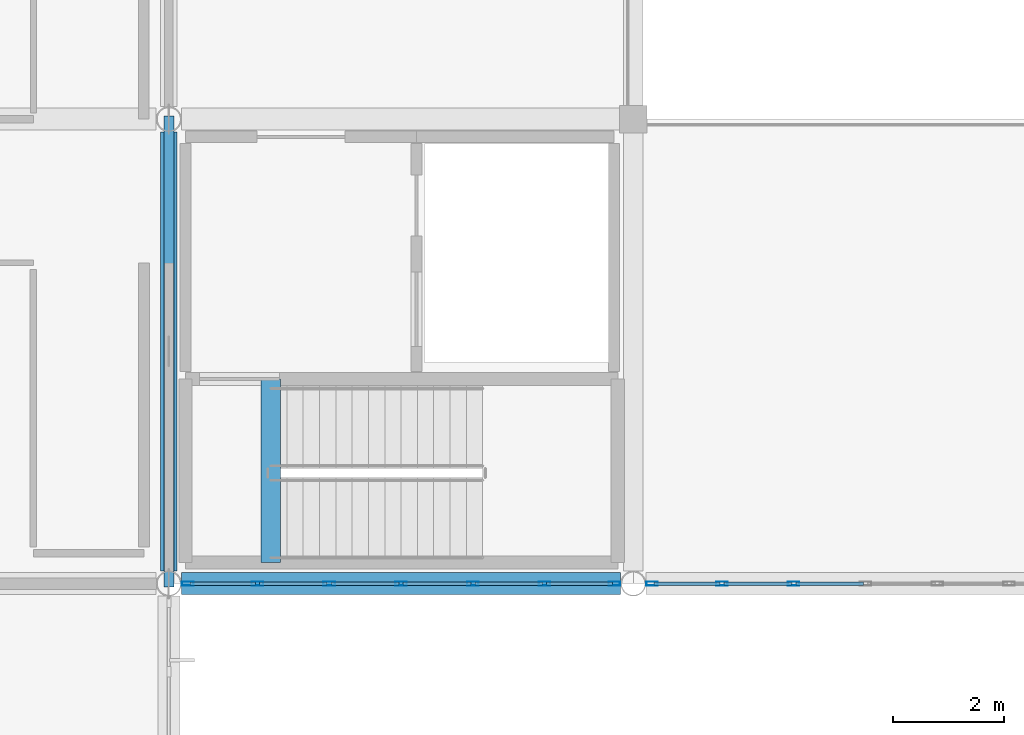
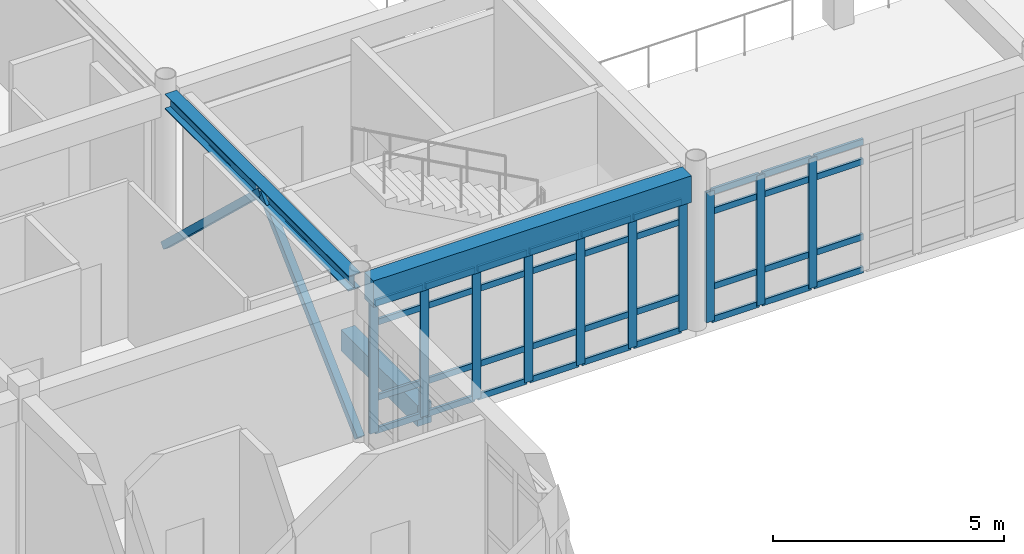
# One storey, part 15 of 144: 48 members, 3 beams, 2 elements without a shape of their own.
"""IFC4 building model written with IfcOpenShell, lengths in metres."""

from ifc_helpers import new_model, si_unit, direction, frame, origin, origin_2d, place, context, subcontext, project, spatial, rectangle, hollow_rectangle, i_section, extrude, material, layer, layer_set, material_profile, profile_set, type_object, element, aggregate, save


model = new_model("IFC4")

# Units and contexts
model_context = context("Model", 3, precision=1e-05, world=origin(), true_north=direction((0.0, 1.0)))
body_context = subcontext(model_context, "Body", "Model", "MODEL_VIEW")
ifc_project = project(units=[si_unit("LENGTHUNIT", "METRE"), si_unit("AREAUNIT", "SQUARE_METRE"), si_unit("VOLUMEUNIT", "CUBIC_METRE"), si_unit("PLANEANGLEUNIT", "RADIAN"), si_unit("MASSUNIT", "GRAM", prefix="KILO")], contexts=[model_context])

# Site, building, storey
site_placement = place(None, origin())
site = spatial("IfcSite", under=ifc_project, at=site_placement, CompositionType="ELEMENT")
building_placement = place(site_placement, origin())
building = spatial("IfcBuilding", under=site, at=building_placement, Name="Bramfleet General Hospital", CompositionType="ELEMENT")
storey_placement = place(building_placement, frame((0.0, 0.0, 4.800048828125)))
storey = spatial("IfcBuildingStorey", under=building, at=storey_placement, Name="L01", CompositionType="ELEMENT", Elevation=4.800048828125)

# Beams
ifc_material_1 = material(Name="Steel S355", Category="steel")
ifc_material_profile_1 = material_profile(ifc_material_1, i_section(OverallWidth=0.300048828125, OverallDepth=0.39990234375, WebThickness=0.013427734375, FlangeThickness=0.02392578125, FilletRadius=0.027099609375, at=origin_2d()), Name="HEB 400")
ifc_profile_set_1 = profile_set([ifc_material_profile_1], Name="Steel S355")
beam_type_1 = type_object("IfcBeamType", Name="BM-HEB400", PredefinedType="BEAM", material=ifc_profile_set_1)
beam_1_placement = place(storey_placement, frame((50.39990234375, 17.028564453125, 3.949951171875), z_axis=(0.0, 1.0, 0.0), x_axis=(-1.0, 0.0, 0.0)))
element("IfcBeam", 1, at=beam_1_placement, inside=storey, type_object=beam_type_1, Name="L01 Grid Beam Y 06-02", PredefinedType="BEAM", context=body_context, shape_type="SweptSolid", body=[
    extrude(i_section(OverallWidth=0.300048828125, OverallDepth=0.39990234375, WebThickness=0.013427734375, FlangeThickness=0.02392578125, FilletRadius=0.027099609375, at=origin_2d()), origin(), (0.0, 0.0, 1.0), 7.94287109375),
])
ifc_material_2 = material(Name="Concrete C35/45", Category="concrete")
ifc_material_profile_2 = material_profile(ifc_material_2, rectangle(XDim=0.35009765625, YDim=0.550048828125, at=origin_2d()), Name="RC BM 550x350")
ifc_profile_set_2 = profile_set([ifc_material_profile_2], Name="Concrete C35/45")
beam_type_2 = type_object("IfcBeamType", Name="BM-RC550", PredefinedType="BEAM", material=ifc_profile_set_2)
beam_2_placement = place(storey_placement, frame((52.239990234375, 17.179931640625, -0.275146484375), z_axis=(0.0, 1.0, 0.0), x_axis=(-1.0, 0.0, 0.0)))
element("IfcBeam", 2, at=beam_2_placement, inside=storey, type_object=beam_type_2, Name="L01 C1 Stairwell Trimmer Beam", PredefinedType="BEAM", context=body_context, shape_type="SweptSolid", body=[
    extrude(rectangle(XDim=0.35009765625, YDim=0.550048828125, at=origin_2d()), origin(), (0.0, 0.0, 1.0), 3.320068359375),
])
ifc_material_profile_3 = material_profile(ifc_material_2, rectangle(XDim=0.39990234375, YDim=0.699951171875, at=origin_2d()), Name="RC SP 700x400")
ifc_profile_set_3 = profile_set([ifc_material_profile_3], Name="Concrete C35/45")
beam_type_3 = type_object("IfcBeamType", Name="BM-SP700", PredefinedType="SPANDREL", material=ifc_profile_set_3)
beam_3_placement = place(storey_placement, frame((50.62841796875, 16.800048828125, 3.800048828125), z_axis=(1.0, 0.0, 0.0), x_axis=(0.0, 1.0, 0.0)))
element("IfcBeam", 3, at=beam_3_placement, inside=storey, type_object=beam_type_3, Name="L01 Grid Beam X 06-02", PredefinedType="SPANDREL", context=body_context, shape_type="SweptSolid", body=[
    extrude(rectangle(XDim=0.39990234375, YDim=0.699951171875, at=origin_2d()), origin(), (0.0, 0.0, 1.0), 7.943115234375),
])

# Curtain wall, members
ifc_material_3 = material(Name="Anodised aluminium and low-E triple glazing", Category="aluminium")
ifc_layer_1 = layer(ifc_material_3, 0.179931640625, Name="CWT-CW-10")
ifc_layer_set_1 = layer_set([ifc_layer_1], Name="Anodised aluminium and low-E triple glazing")
curtain_wall_type_1 = type_object("IfcCurtainWallType", Name="CWT-CW-10", PredefinedType="USERDEFINED", material=ifc_layer_set_1)
curtain_wall_1_placement = place(storey_placement, origin())
curtain_wall_1 = element("IfcCurtainWall", 4, at=curtain_wall_1_placement, inside=storey, type_object=curtain_wall_type_1, Name="L01 Curtain Wall 82", ObjectType="Stick curtain wall", PredefinedType="USERDEFINED")
ifc_material_4 = material(Name="Anodised aluminium EN AW-6060", Category="aluminium")
ifc_material_profile_4 = material_profile(ifc_material_4, hollow_rectangle(XDim=0.074951171875, YDim=0.2099609375, WallThickness=0.00439453125, at=origin_2d()), Name="ALU 210x75x4.5")
ifc_profile_set_4 = profile_set([ifc_material_profile_4], Name="Anodised aluminium EN AW-6060")
member_type_1 = type_object("IfcMemberType", Name="CWM-ALU210", PredefinedType="MULLION", material=ifc_profile_set_4)
member_1_placement = place(storey_placement, frame((61.700927734375, 16.800048828125, 0.0), z_axis=(0.0, 0.0, 1.0), x_axis=(0.0, -1.0, 0.0)))
member_1 = element("IfcMember", 5, at=member_1_placement, type_object=member_type_1, Name="CW-10 mullion 5", PredefinedType="MULLION", context=body_context, shape_type="SweptSolid", body=[
    extrude(hollow_rectangle(XDim=0.074951171875, YDim=0.2099609375, WallThickness=0.00439453125, at=origin_2d()), origin(), (0.0, 0.0, 1.0), 3.43994140625),
])
member_2_placement = place(storey_placement, frame((60.402099609375, 16.800048828125, 0.0), z_axis=(0.0, 0.0, 1.0), x_axis=(0.0, -1.0, 0.0)))
member_2 = element("IfcMember", 6, at=member_2_placement, type_object=member_type_1, Name="CW-10 mullion 6", PredefinedType="MULLION", context=body_context, shape_type="SweptSolid", body=[
    extrude(hollow_rectangle(XDim=0.074951171875, YDim=0.2099609375, WallThickness=0.00439453125, at=origin_2d()), origin(), (0.0, 0.0, 1.0), 3.43994140625),
])
member_3_placement = place(storey_placement, frame((59.140380859375, 16.800048828125, 0.0), z_axis=(0.0, 0.0, 1.0), x_axis=(0.0, -1.0, 0.0)))
member_3 = element("IfcMember", 7, at=member_3_placement, type_object=member_type_1, Name="CW-10 mullion 7", PredefinedType="MULLION", context=body_context, shape_type="SweptSolid", body=[
    extrude(hollow_rectangle(XDim=0.074951171875, YDim=0.2099609375, WallThickness=0.00439453125, at=origin_2d()), origin(), (0.0, 0.0, 1.0), 3.43994140625),
])

ifc_layer_2 = layer(ifc_material_3, 0.179931640625, Name="CWT-CW-11")
ifc_layer_set_2 = layer_set([ifc_layer_2], Name="Anodised aluminium and low-E triple glazing")
curtain_wall_type_2 = type_object("IfcCurtainWallType", Name="CWT-CW-11", PredefinedType="USERDEFINED", material=ifc_layer_set_2)
curtain_wall_2_placement = place(storey_placement, origin())
curtain_wall_2 = element("IfcCurtainWall", 8, at=curtain_wall_2_placement, inside=storey, type_object=curtain_wall_type_2, Name="L01 Curtain Wall 83", ObjectType="Stick curtain wall", PredefinedType="USERDEFINED")
member_4_placement = place(storey_placement, frame((58.45849609375, 16.800048828125, 0.0), z_axis=(0.0, 0.0, 1.0), x_axis=(0.0, -1.0, 0.0)))
member_4 = element("IfcMember", 9, at=member_4_placement, type_object=member_type_1, Name="CW-11 mullion 1", PredefinedType="MULLION", context=body_context, shape_type="SweptSolid", body=[
    extrude(hollow_rectangle(XDim=0.074951171875, YDim=0.2099609375, WallThickness=0.00439453125, at=origin_2d()), origin(), (0.0, 0.0, 1.0), 3.43994140625),
])
member_5_placement = place(storey_placement, frame((57.197265625, 16.800048828125, 0.0), z_axis=(0.0, 0.0, 1.0), x_axis=(0.0, -1.0, 0.0)))
member_5 = element("IfcMember", 10, at=member_5_placement, type_object=member_type_1, Name="CW-11 mullion 2", PredefinedType="MULLION", context=body_context, shape_type="SweptSolid", body=[
    extrude(hollow_rectangle(XDim=0.074951171875, YDim=0.2099609375, WallThickness=0.00439453125, at=origin_2d()), origin(), (0.0, 0.0, 1.0), 3.43994140625),
])
member_6_placement = place(storey_placement, frame((55.8984375, 16.800048828125, 0.0), z_axis=(0.0, 0.0, 1.0), x_axis=(0.0, -1.0, 0.0)))
member_6 = element("IfcMember", 11, at=member_6_placement, type_object=member_type_1, Name="CW-11 mullion 3", PredefinedType="MULLION", context=body_context, shape_type="SweptSolid", body=[
    extrude(hollow_rectangle(XDim=0.074951171875, YDim=0.2099609375, WallThickness=0.00439453125, at=origin_2d()), origin(), (0.0, 0.0, 1.0), 3.43994140625),
])
member_7_placement = place(storey_placement, frame((54.599609375, 16.800048828125, 0.0), z_axis=(0.0, 0.0, 1.0), x_axis=(0.0, -1.0, 0.0)))
member_7 = element("IfcMember", 12, at=member_7_placement, type_object=member_type_1, Name="CW-11 mullion 4", PredefinedType="MULLION", context=body_context, shape_type="SweptSolid", body=[
    extrude(hollow_rectangle(XDim=0.074951171875, YDim=0.2099609375, WallThickness=0.00439453125, at=origin_2d()), origin(), (0.0, 0.0, 1.0), 3.43994140625),
])
member_8_placement = place(storey_placement, frame((53.30078125, 16.800048828125, 0.0), z_axis=(0.0, 0.0, 1.0), x_axis=(0.0, -1.0, 0.0)))
member_8 = element("IfcMember", 13, at=member_8_placement, type_object=member_type_1, Name="CW-11 mullion 5", PredefinedType="MULLION", context=body_context, shape_type="SweptSolid", body=[
    extrude(hollow_rectangle(XDim=0.074951171875, YDim=0.2099609375, WallThickness=0.00439453125, at=origin_2d()), origin(), (0.0, 0.0, 1.0), 3.43994140625),
])
member_9_placement = place(storey_placement, frame((52.001953125, 16.800048828125, 0.0), z_axis=(0.0, 0.0, 1.0), x_axis=(0.0, -1.0, 0.0)))
member_9 = element("IfcMember", 14, at=member_9_placement, type_object=member_type_1, Name="CW-11 mullion 6", PredefinedType="MULLION", context=body_context, shape_type="SweptSolid", body=[
    extrude(hollow_rectangle(XDim=0.074951171875, YDim=0.2099609375, WallThickness=0.00439453125, at=origin_2d()), origin(), (0.0, 0.0, 1.0), 3.43994140625),
])
member_10_placement = place(storey_placement, frame((50.740478515625, 16.800048828125, 0.0), z_axis=(0.0, 0.0, 1.0), x_axis=(0.0, -1.0, 0.0)))
member_10 = element("IfcMember", 15, at=member_10_placement, type_object=member_type_1, Name="CW-11 mullion 7", PredefinedType="MULLION", context=body_context, shape_type="SweptSolid", body=[
    extrude(hollow_rectangle(XDim=0.074951171875, YDim=0.2099609375, WallThickness=0.00439453125, at=origin_2d()), origin(), (0.0, 0.0, 1.0), 3.43994140625),
])

# Member
ifc_material_profile_5 = material_profile(ifc_material_4, hollow_rectangle(XDim=0.06494140625, YDim=0.159912109375, WallThickness=0.00390625, at=origin_2d()), Name="ALU 160x65x4.0")
ifc_profile_set_5 = profile_set([ifc_material_profile_5], Name="Anodised aluminium EN AW-6060")
member_type_2 = type_object("IfcMemberType", Name="CWT-ALU160", PredefinedType="USERDEFINED", material=ifc_profile_set_5)
member_11_placement = place(storey_placement, frame((62.96240234375, 16.800048828125, 0.032470703125), z_axis=(-1.0, 0.0, 0.0), x_axis=(0.0, -1.0, 0.0)))
member_11 = element("IfcMember", 16, at=member_11_placement, type_object=member_type_2, Name="CW-10 transom 4.1", ObjectType="TRANSOM", PredefinedType="USERDEFINED", context=body_context, shape_type="SweptSolid", body=[
    extrude(hollow_rectangle(XDim=0.06494140625, YDim=0.159912109375, WallThickness=0.00390625, at=origin_2d()), origin(), (0.0, 0.0, 1.0), 1.223876953125),
])

member_12_placement = place(storey_placement, frame((62.96240234375, 16.800048828125, 0.89990234375), z_axis=(-1.0, 0.0, 0.0), x_axis=(0.0, -1.0, 0.0)))
member_12 = element("IfcMember", 17, at=member_12_placement, type_object=member_type_2, Name="CW-10 transom 4.2", ObjectType="TRANSOM", PredefinedType="USERDEFINED", context=body_context, shape_type="SweptSolid", body=[
    extrude(hollow_rectangle(XDim=0.06494140625, YDim=0.159912109375, WallThickness=0.00390625, at=origin_2d()), origin(), (0.0, 0.0, 1.0), 1.223876953125),
])

member_13_placement = place(storey_placement, frame((62.96240234375, 16.800048828125, 2.889892578125), z_axis=(-1.0, 0.0, 0.0), x_axis=(0.0, -1.0, 0.0)))
member_13 = element("IfcMember", 18, at=member_13_placement, type_object=member_type_2, Name="CW-10 transom 4.3", ObjectType="TRANSOM", PredefinedType="USERDEFINED", context=body_context, shape_type="SweptSolid", body=[
    extrude(hollow_rectangle(XDim=0.06494140625, YDim=0.159912109375, WallThickness=0.00390625, at=origin_2d()), origin(), (0.0, 0.0, 1.0), 1.223876953125),
])

member_14_placement = place(storey_placement, frame((62.96240234375, 16.800048828125, 3.407470703125), z_axis=(-1.0, 0.0, 0.0), x_axis=(0.0, -1.0, 0.0)))
member_14 = element("IfcMember", 19, at=member_14_placement, type_object=member_type_2, Name="CW-10 transom 4.4", ObjectType="TRANSOM", PredefinedType="USERDEFINED", context=body_context, shape_type="SweptSolid", body=[
    extrude(hollow_rectangle(XDim=0.06494140625, YDim=0.159912109375, WallThickness=0.00390625, at=origin_2d()), origin(), (0.0, 0.0, 1.0), 1.223876953125),
])

member_15_placement = place(storey_placement, frame((61.66357421875, 16.800048828125, 0.032470703125), z_axis=(-1.0, 0.0, 0.0), x_axis=(0.0, -1.0, 0.0)))
member_15 = element("IfcMember", 20, at=member_15_placement, type_object=member_type_2, Name="CW-10 transom 5.1", ObjectType="TRANSOM", PredefinedType="USERDEFINED", context=body_context, shape_type="SweptSolid", body=[
    extrude(hollow_rectangle(XDim=0.06494140625, YDim=0.159912109375, WallThickness=0.00390625, at=origin_2d()), origin(), (0.0, 0.0, 1.0), 1.22412109375),
])

member_16_placement = place(storey_placement, frame((61.66357421875, 16.800048828125, 0.89990234375), z_axis=(-1.0, 0.0, 0.0), x_axis=(0.0, -1.0, 0.0)))
member_16 = element("IfcMember", 21, at=member_16_placement, type_object=member_type_2, Name="CW-10 transom 5.2", ObjectType="TRANSOM", PredefinedType="USERDEFINED", context=body_context, shape_type="SweptSolid", body=[
    extrude(hollow_rectangle(XDim=0.06494140625, YDim=0.159912109375, WallThickness=0.00390625, at=origin_2d()), origin(), (0.0, 0.0, 1.0), 1.22412109375),
])

member_17_placement = place(storey_placement, frame((61.66357421875, 16.800048828125, 2.889892578125), z_axis=(-1.0, 0.0, 0.0), x_axis=(0.0, -1.0, 0.0)))
member_17 = element("IfcMember", 22, at=member_17_placement, type_object=member_type_2, Name="CW-10 transom 5.3", ObjectType="TRANSOM", PredefinedType="USERDEFINED", context=body_context, shape_type="SweptSolid", body=[
    extrude(hollow_rectangle(XDim=0.06494140625, YDim=0.159912109375, WallThickness=0.00390625, at=origin_2d()), origin(), (0.0, 0.0, 1.0), 1.22412109375),
])

member_18_placement = place(storey_placement, frame((61.66357421875, 16.800048828125, 3.407470703125), z_axis=(-1.0, 0.0, 0.0), x_axis=(0.0, -1.0, 0.0)))
member_18 = element("IfcMember", 23, at=member_18_placement, type_object=member_type_2, Name="CW-10 transom 5.4", ObjectType="TRANSOM", PredefinedType="USERDEFINED", context=body_context, shape_type="SweptSolid", body=[
    extrude(hollow_rectangle(XDim=0.06494140625, YDim=0.159912109375, WallThickness=0.00390625, at=origin_2d()), origin(), (0.0, 0.0, 1.0), 1.22412109375),
])

member_19_placement = place(storey_placement, frame((60.364501953125, 16.800048828125, 0.032470703125), z_axis=(-1.0, 0.0, 0.0), x_axis=(0.0, -1.0, 0.0)))
member_19 = element("IfcMember", 24, at=member_19_placement, type_object=member_type_2, Name="CW-10 transom 6.1", ObjectType="TRANSOM", PredefinedType="USERDEFINED", context=body_context, shape_type="SweptSolid", body=[
    extrude(hollow_rectangle(XDim=0.06494140625, YDim=0.159912109375, WallThickness=0.00390625, at=origin_2d()), origin(), (0.0, 0.0, 1.0), 1.1865234375),
])

member_20_placement = place(storey_placement, frame((60.364501953125, 16.800048828125, 0.89990234375), z_axis=(-1.0, 0.0, 0.0), x_axis=(0.0, -1.0, 0.0)))
member_20 = element("IfcMember", 25, at=member_20_placement, type_object=member_type_2, Name="CW-10 transom 6.2", ObjectType="TRANSOM", PredefinedType="USERDEFINED", context=body_context, shape_type="SweptSolid", body=[
    extrude(hollow_rectangle(XDim=0.06494140625, YDim=0.159912109375, WallThickness=0.00390625, at=origin_2d()), origin(), (0.0, 0.0, 1.0), 1.1865234375),
])

member_21_placement = place(storey_placement, frame((60.364501953125, 16.800048828125, 2.889892578125), z_axis=(-1.0, 0.0, 0.0), x_axis=(0.0, -1.0, 0.0)))
member_21 = element("IfcMember", 26, at=member_21_placement, type_object=member_type_2, Name="CW-10 transom 6.3", ObjectType="TRANSOM", PredefinedType="USERDEFINED", context=body_context, shape_type="SweptSolid", body=[
    extrude(hollow_rectangle(XDim=0.06494140625, YDim=0.159912109375, WallThickness=0.00390625, at=origin_2d()), origin(), (0.0, 0.0, 1.0), 1.1865234375),
])

member_22_placement = place(storey_placement, frame((60.364501953125, 16.800048828125, 3.407470703125), z_axis=(-1.0, 0.0, 0.0), x_axis=(0.0, -1.0, 0.0)))
member_22 = element("IfcMember", 27, at=member_22_placement, type_object=member_type_2, Name="CW-10 transom 6.4", ObjectType="TRANSOM", PredefinedType="USERDEFINED", context=body_context, shape_type="SweptSolid", body=[
    extrude(hollow_rectangle(XDim=0.06494140625, YDim=0.159912109375, WallThickness=0.00390625, at=origin_2d()), origin(), (0.0, 0.0, 1.0), 1.1865234375),
])

aggregate(curtain_wall_1, [member_1, member_2, member_3, member_11, member_12, member_13, member_14, member_15, member_16, member_17, member_18, member_19, member_20, member_21, member_22])

member_23_placement = place(storey_placement, frame((58.4208984375, 16.800048828125, 0.032470703125), z_axis=(-1.0, 0.0, 0.0), x_axis=(0.0, -1.0, 0.0)))
member_23 = element("IfcMember", 28, at=member_23_placement, type_object=member_type_2, Name="CW-11 transom 1.1", ObjectType="TRANSOM", PredefinedType="USERDEFINED", context=body_context, shape_type="SweptSolid", body=[
    extrude(hollow_rectangle(XDim=0.06494140625, YDim=0.159912109375, WallThickness=0.00390625, at=origin_2d()), origin(), (0.0, 0.0, 1.0), 1.186279296875),
])

member_24_placement = place(storey_placement, frame((58.4208984375, 16.800048828125, 0.89990234375), z_axis=(-1.0, 0.0, 0.0), x_axis=(0.0, -1.0, 0.0)))
member_24 = element("IfcMember", 29, at=member_24_placement, type_object=member_type_2, Name="CW-11 transom 1.2", ObjectType="TRANSOM", PredefinedType="USERDEFINED", context=body_context, shape_type="SweptSolid", body=[
    extrude(hollow_rectangle(XDim=0.06494140625, YDim=0.159912109375, WallThickness=0.00390625, at=origin_2d()), origin(), (0.0, 0.0, 1.0), 1.186279296875),
])

member_25_placement = place(storey_placement, frame((58.4208984375, 16.800048828125, 2.889892578125), z_axis=(-1.0, 0.0, 0.0), x_axis=(0.0, -1.0, 0.0)))
member_25 = element("IfcMember", 30, at=member_25_placement, type_object=member_type_2, Name="CW-11 transom 1.3", ObjectType="TRANSOM", PredefinedType="USERDEFINED", context=body_context, shape_type="SweptSolid", body=[
    extrude(hollow_rectangle(XDim=0.06494140625, YDim=0.159912109375, WallThickness=0.00390625, at=origin_2d()), origin(), (0.0, 0.0, 1.0), 1.186279296875),
])

member_26_placement = place(storey_placement, frame((58.4208984375, 16.800048828125, 3.407470703125), z_axis=(-1.0, 0.0, 0.0), x_axis=(0.0, -1.0, 0.0)))
member_26 = element("IfcMember", 31, at=member_26_placement, type_object=member_type_2, Name="CW-11 transom 1.4", ObjectType="TRANSOM", PredefinedType="USERDEFINED", context=body_context, shape_type="SweptSolid", body=[
    extrude(hollow_rectangle(XDim=0.06494140625, YDim=0.159912109375, WallThickness=0.00390625, at=origin_2d()), origin(), (0.0, 0.0, 1.0), 1.186279296875),
])

member_27_placement = place(storey_placement, frame((57.15966796875, 16.800048828125, 0.032470703125), z_axis=(-1.0, 0.0, 0.0), x_axis=(0.0, -1.0, 0.0)))
member_27 = element("IfcMember", 32, at=member_27_placement, type_object=member_type_2, Name="CW-11 transom 2.1", ObjectType="TRANSOM", PredefinedType="USERDEFINED", context=body_context, shape_type="SweptSolid", body=[
    extrude(hollow_rectangle(XDim=0.06494140625, YDim=0.159912109375, WallThickness=0.00390625, at=origin_2d()), origin(), (0.0, 0.0, 1.0), 1.223876953125),
])

member_28_placement = place(storey_placement, frame((57.15966796875, 16.800048828125, 0.89990234375), z_axis=(-1.0, 0.0, 0.0), x_axis=(0.0, -1.0, 0.0)))
member_28 = element("IfcMember", 33, at=member_28_placement, type_object=member_type_2, Name="CW-11 transom 2.2", ObjectType="TRANSOM", PredefinedType="USERDEFINED", context=body_context, shape_type="SweptSolid", body=[
    extrude(hollow_rectangle(XDim=0.06494140625, YDim=0.159912109375, WallThickness=0.00390625, at=origin_2d()), origin(), (0.0, 0.0, 1.0), 1.223876953125),
])

member_29_placement = place(storey_placement, frame((57.15966796875, 16.800048828125, 2.889892578125), z_axis=(-1.0, 0.0, 0.0), x_axis=(0.0, -1.0, 0.0)))
member_29 = element("IfcMember", 34, at=member_29_placement, type_object=member_type_2, Name="CW-11 transom 2.3", ObjectType="TRANSOM", PredefinedType="USERDEFINED", context=body_context, shape_type="SweptSolid", body=[
    extrude(hollow_rectangle(XDim=0.06494140625, YDim=0.159912109375, WallThickness=0.00390625, at=origin_2d()), origin(), (0.0, 0.0, 1.0), 1.223876953125),
])

member_30_placement = place(storey_placement, frame((57.15966796875, 16.800048828125, 3.407470703125), z_axis=(-1.0, 0.0, 0.0), x_axis=(0.0, -1.0, 0.0)))
member_30 = element("IfcMember", 35, at=member_30_placement, type_object=member_type_2, Name="CW-11 transom 2.4", ObjectType="TRANSOM", PredefinedType="USERDEFINED", context=body_context, shape_type="SweptSolid", body=[
    extrude(hollow_rectangle(XDim=0.06494140625, YDim=0.159912109375, WallThickness=0.00390625, at=origin_2d()), origin(), (0.0, 0.0, 1.0), 1.223876953125),
])

member_31_placement = place(storey_placement, frame((55.86083984375, 16.800048828125, 0.032470703125), z_axis=(-1.0, 0.0, 0.0), x_axis=(0.0, -1.0, 0.0)))
member_31 = element("IfcMember", 36, at=member_31_placement, type_object=member_type_2, Name="CW-11 transom 3.1", ObjectType="TRANSOM", PredefinedType="USERDEFINED", context=body_context, shape_type="SweptSolid", body=[
    extrude(hollow_rectangle(XDim=0.06494140625, YDim=0.159912109375, WallThickness=0.00390625, at=origin_2d()), origin(), (0.0, 0.0, 1.0), 1.223876953125),
])

member_32_placement = place(storey_placement, frame((55.86083984375, 16.800048828125, 0.89990234375), z_axis=(-1.0, 0.0, 0.0), x_axis=(0.0, -1.0, 0.0)))
member_32 = element("IfcMember", 37, at=member_32_placement, type_object=member_type_2, Name="CW-11 transom 3.2", ObjectType="TRANSOM", PredefinedType="USERDEFINED", context=body_context, shape_type="SweptSolid", body=[
    extrude(hollow_rectangle(XDim=0.06494140625, YDim=0.159912109375, WallThickness=0.00390625, at=origin_2d()), origin(), (0.0, 0.0, 1.0), 1.223876953125),
])

member_33_placement = place(storey_placement, frame((55.86083984375, 16.800048828125, 2.889892578125), z_axis=(-1.0, 0.0, 0.0), x_axis=(0.0, -1.0, 0.0)))
member_33 = element("IfcMember", 38, at=member_33_placement, type_object=member_type_2, Name="CW-11 transom 3.3", ObjectType="TRANSOM", PredefinedType="USERDEFINED", context=body_context, shape_type="SweptSolid", body=[
    extrude(hollow_rectangle(XDim=0.06494140625, YDim=0.159912109375, WallThickness=0.00390625, at=origin_2d()), origin(), (0.0, 0.0, 1.0), 1.223876953125),
])

member_34_placement = place(storey_placement, frame((55.86083984375, 16.800048828125, 3.407470703125), z_axis=(-1.0, 0.0, 0.0), x_axis=(0.0, -1.0, 0.0)))
member_34 = element("IfcMember", 39, at=member_34_placement, type_object=member_type_2, Name="CW-11 transom 3.4", ObjectType="TRANSOM", PredefinedType="USERDEFINED", context=body_context, shape_type="SweptSolid", body=[
    extrude(hollow_rectangle(XDim=0.06494140625, YDim=0.159912109375, WallThickness=0.00390625, at=origin_2d()), origin(), (0.0, 0.0, 1.0), 1.223876953125),
])

member_35_placement = place(storey_placement, frame((54.56201171875, 16.800048828125, 0.032470703125), z_axis=(-1.0, 0.0, 0.0), x_axis=(0.0, -1.0, 0.0)))
member_35 = element("IfcMember", 40, at=member_35_placement, type_object=member_type_2, Name="CW-11 transom 4.1", ObjectType="TRANSOM", PredefinedType="USERDEFINED", context=body_context, shape_type="SweptSolid", body=[
    extrude(hollow_rectangle(XDim=0.06494140625, YDim=0.159912109375, WallThickness=0.00390625, at=origin_2d()), origin(), (0.0, 0.0, 1.0), 1.223876953125),
])

member_36_placement = place(storey_placement, frame((54.56201171875, 16.800048828125, 0.89990234375), z_axis=(-1.0, 0.0, 0.0), x_axis=(0.0, -1.0, 0.0)))
member_36 = element("IfcMember", 41, at=member_36_placement, type_object=member_type_2, Name="CW-11 transom 4.2", ObjectType="TRANSOM", PredefinedType="USERDEFINED", context=body_context, shape_type="SweptSolid", body=[
    extrude(hollow_rectangle(XDim=0.06494140625, YDim=0.159912109375, WallThickness=0.00390625, at=origin_2d()), origin(), (0.0, 0.0, 1.0), 1.223876953125),
])

member_37_placement = place(storey_placement, frame((54.56201171875, 16.800048828125, 2.889892578125), z_axis=(-1.0, 0.0, 0.0), x_axis=(0.0, -1.0, 0.0)))
member_37 = element("IfcMember", 42, at=member_37_placement, type_object=member_type_2, Name="CW-11 transom 4.3", ObjectType="TRANSOM", PredefinedType="USERDEFINED", context=body_context, shape_type="SweptSolid", body=[
    extrude(hollow_rectangle(XDim=0.06494140625, YDim=0.159912109375, WallThickness=0.00390625, at=origin_2d()), origin(), (0.0, 0.0, 1.0), 1.223876953125),
])

member_38_placement = place(storey_placement, frame((54.56201171875, 16.800048828125, 3.407470703125), z_axis=(-1.0, 0.0, 0.0), x_axis=(0.0, -1.0, 0.0)))
member_38 = element("IfcMember", 43, at=member_38_placement, type_object=member_type_2, Name="CW-11 transom 4.4", ObjectType="TRANSOM", PredefinedType="USERDEFINED", context=body_context, shape_type="SweptSolid", body=[
    extrude(hollow_rectangle(XDim=0.06494140625, YDim=0.159912109375, WallThickness=0.00390625, at=origin_2d()), origin(), (0.0, 0.0, 1.0), 1.223876953125),
])

member_39_placement = place(storey_placement, frame((53.26318359375, 16.800048828125, 0.032470703125), z_axis=(-1.0, 0.0, 0.0), x_axis=(0.0, -1.0, 0.0)))
member_39 = element("IfcMember", 44, at=member_39_placement, type_object=member_type_2, Name="CW-11 transom 5.1", ObjectType="TRANSOM", PredefinedType="USERDEFINED", context=body_context, shape_type="SweptSolid", body=[
    extrude(hollow_rectangle(XDim=0.06494140625, YDim=0.159912109375, WallThickness=0.00390625, at=origin_2d()), origin(), (0.0, 0.0, 1.0), 1.223876953125),
])

member_40_placement = place(storey_placement, frame((53.26318359375, 16.800048828125, 0.89990234375), z_axis=(-1.0, 0.0, 0.0), x_axis=(0.0, -1.0, 0.0)))
member_40 = element("IfcMember", 45, at=member_40_placement, type_object=member_type_2, Name="CW-11 transom 5.2", ObjectType="TRANSOM", PredefinedType="USERDEFINED", context=body_context, shape_type="SweptSolid", body=[
    extrude(hollow_rectangle(XDim=0.06494140625, YDim=0.159912109375, WallThickness=0.00390625, at=origin_2d()), origin(), (0.0, 0.0, 1.0), 1.223876953125),
])

member_41_placement = place(storey_placement, frame((53.26318359375, 16.800048828125, 2.889892578125), z_axis=(-1.0, 0.0, 0.0), x_axis=(0.0, -1.0, 0.0)))
member_41 = element("IfcMember", 46, at=member_41_placement, type_object=member_type_2, Name="CW-11 transom 5.3", ObjectType="TRANSOM", PredefinedType="USERDEFINED", context=body_context, shape_type="SweptSolid", body=[
    extrude(hollow_rectangle(XDim=0.06494140625, YDim=0.159912109375, WallThickness=0.00390625, at=origin_2d()), origin(), (0.0, 0.0, 1.0), 1.223876953125),
])

member_42_placement = place(storey_placement, frame((53.26318359375, 16.800048828125, 3.407470703125), z_axis=(-1.0, 0.0, 0.0), x_axis=(0.0, -1.0, 0.0)))
member_42 = element("IfcMember", 47, at=member_42_placement, type_object=member_type_2, Name="CW-11 transom 5.4", ObjectType="TRANSOM", PredefinedType="USERDEFINED", context=body_context, shape_type="SweptSolid", body=[
    extrude(hollow_rectangle(XDim=0.06494140625, YDim=0.159912109375, WallThickness=0.00390625, at=origin_2d()), origin(), (0.0, 0.0, 1.0), 1.223876953125),
])

member_43_placement = place(storey_placement, frame((51.96435546875, 16.800048828125, 0.032470703125), z_axis=(-1.0, 0.0, 0.0), x_axis=(0.0, -1.0, 0.0)))
member_43 = element("IfcMember", 48, at=member_43_placement, type_object=member_type_2, Name="CW-11 transom 6.1", ObjectType="TRANSOM", PredefinedType="USERDEFINED", context=body_context, shape_type="SweptSolid", body=[
    extrude(hollow_rectangle(XDim=0.06494140625, YDim=0.159912109375, WallThickness=0.00390625, at=origin_2d()), origin(), (0.0, 0.0, 1.0), 1.186279296875),
])

member_44_placement = place(storey_placement, frame((51.96435546875, 16.800048828125, 0.89990234375), z_axis=(-1.0, 0.0, 0.0), x_axis=(0.0, -1.0, 0.0)))
member_44 = element("IfcMember", 49, at=member_44_placement, type_object=member_type_2, Name="CW-11 transom 6.2", ObjectType="TRANSOM", PredefinedType="USERDEFINED", context=body_context, shape_type="SweptSolid", body=[
    extrude(hollow_rectangle(XDim=0.06494140625, YDim=0.159912109375, WallThickness=0.00390625, at=origin_2d()), origin(), (0.0, 0.0, 1.0), 1.186279296875),
])

member_45_placement = place(storey_placement, frame((51.96435546875, 16.800048828125, 2.889892578125), z_axis=(-1.0, 0.0, 0.0), x_axis=(0.0, -1.0, 0.0)))
member_45 = element("IfcMember", 50, at=member_45_placement, type_object=member_type_2, Name="CW-11 transom 6.3", ObjectType="TRANSOM", PredefinedType="USERDEFINED", context=body_context, shape_type="SweptSolid", body=[
    extrude(hollow_rectangle(XDim=0.06494140625, YDim=0.159912109375, WallThickness=0.00390625, at=origin_2d()), origin(), (0.0, 0.0, 1.0), 1.186279296875),
])

member_46_placement = place(storey_placement, frame((51.96435546875, 16.800048828125, 3.407470703125), z_axis=(-1.0, 0.0, 0.0), x_axis=(0.0, -1.0, 0.0)))
member_46 = element("IfcMember", 51, at=member_46_placement, type_object=member_type_2, Name="CW-11 transom 6.4", ObjectType="TRANSOM", PredefinedType="USERDEFINED", context=body_context, shape_type="SweptSolid", body=[
    extrude(hollow_rectangle(XDim=0.06494140625, YDim=0.159912109375, WallThickness=0.00390625, at=origin_2d()), origin(), (0.0, 0.0, 1.0), 1.186279296875),
])

aggregate(curtain_wall_2, [member_4, member_5, member_6, member_7, member_8, member_9, member_10, member_23, member_24, member_25, member_26, member_27, member_28, member_29, member_30, member_31, member_32, member_33, member_34, member_35, member_36, member_37, member_38, member_39, member_40, member_41, member_42, member_43, member_44, member_45, member_46])

# Members
ifc_material_profile_6 = material_profile(ifc_material_1, hollow_rectangle(XDim=0.179931640625, YDim=0.179931640625, WallThickness=0.010009765625, at=origin_2d()), Name="SHS 180x180x10.0")
ifc_profile_set_6 = profile_set([ifc_material_profile_6], Name="Steel S355")
member_type_3 = type_object("IfcMemberType", Name="MEM-BR-SHS180", PredefinedType="BRACE", material=ifc_profile_set_6)
for number, where, z_axis, x_axis, name in (
    (52, (50.39990234375, 16.800048828125, -0.02001953125), (0.0, 0.726723719959, 0.686929861667), (-1.0, 0.0, 0.0), "L01 Chevron Brace 2A"),
    (53, (50.39990234375, 25.199951171875, -0.02001953125), (0.0, -0.726723719959, 0.686929861667), (1.0, 0.0, 0.0), "L01 Chevron Brace 2B"),
):
    element("IfcMember", number, at=place(storey_placement, frame(where, z_axis=z_axis, x_axis=x_axis)), inside=storey, type_object=member_type_3, Name=name, PredefinedType="BRACE", context=body_context, shape_type="SweptSolid", body=[
        extrude(hollow_rectangle(XDim=0.179931640625, YDim=0.179931640625, WallThickness=0.010009765625, at=origin_2d()), origin(), (0.0, 0.0, 1.0), 5.779296875),
    ])

save(model, "model.ifc")
